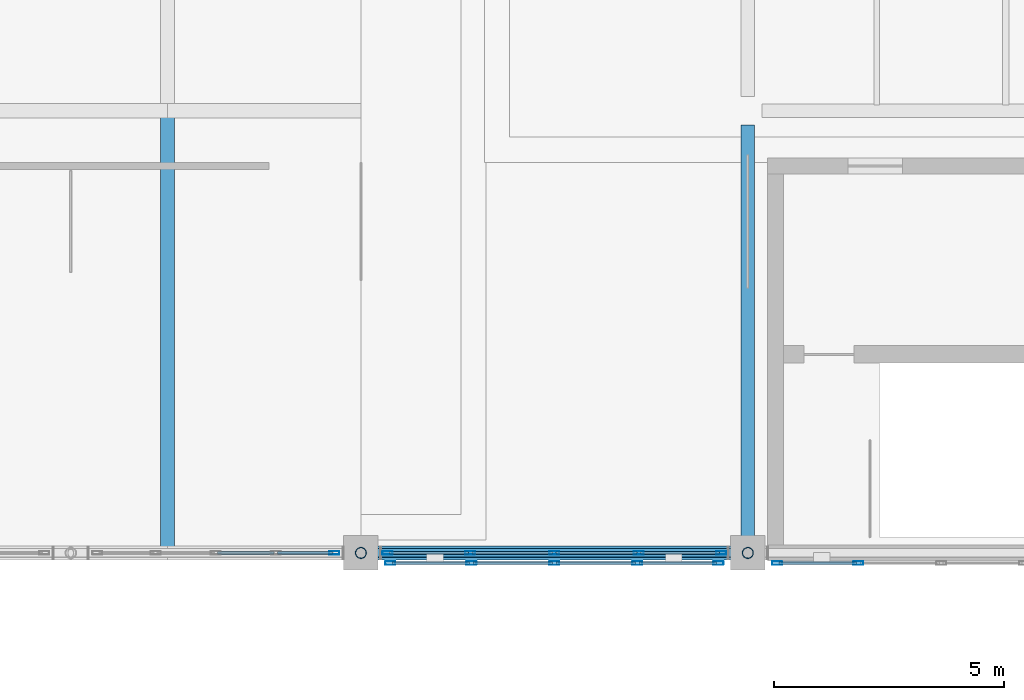
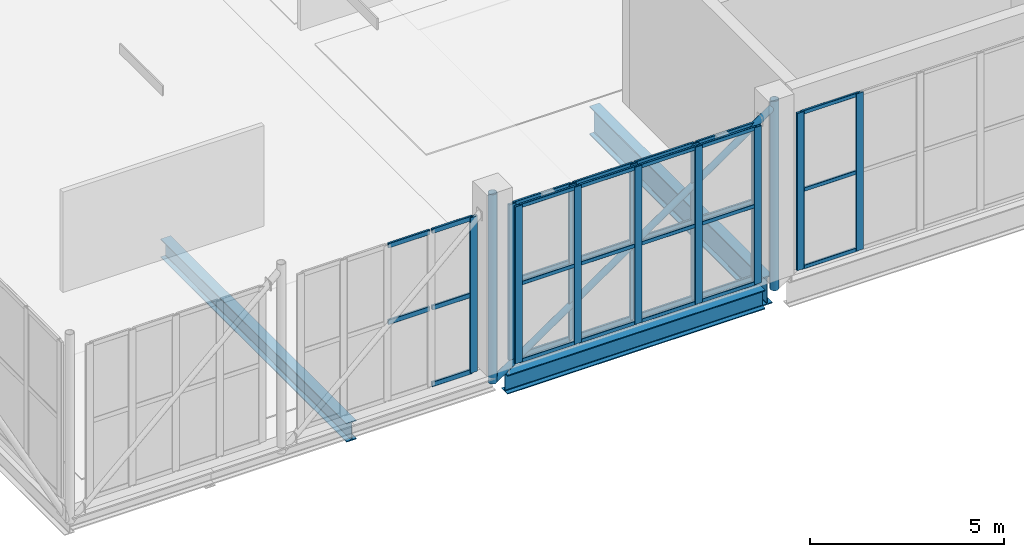
# One storey, part 3 of 49: 48 members, 3 beams, 4 elements without a shape of their own.
"""IFC4 building model written with IfcOpenShell, lengths in metres."""

import ifcopenshell
import ifcopenshell.guid

model = None  # the IFC model being written
_history = None  # IfcOwnerHistory: only IFC2X3 demands one
_inside = {}  # id of a spatial element -> (the spatial element, [elements in it])
_under = {}  # id of a project, library or spatial element -> (it, [spatial elements below it])
_declared = {}  # id of a project -> (the project, [libraries it declares])
_typed = {}  # id of a type object -> (the type object, [elements of that type])
_made_of = {}  # id of a material, layer set ... -> (it, [elements and type objects made of it])


def new_model(schema):
    """Start an empty IFC model of exactly this schema.

    Asked for "IFC4X3", IfcOpenShell would pick the latest addendum, in which some entities
    have other attributes; the version numbers below select the first issue.
    IFC2X3 requires an IfcOwnerHistory on every rooted entity: one is made here for all.
    """
    global model, _history
    if schema == "IFC4X3":
        model = ifcopenshell.file(schema_version=(4, 3, 0, 0))
    else:
        model = ifcopenshell.file(schema=schema)
    _inside.clear()
    _under.clear()
    _declared.clear()
    _typed.clear()
    _made_of.clear()
    _history = None
    if model.schema == "IFC2X3":
        org = make("IfcOrganization", Name="unknown")
        user = make(
            "IfcPersonAndOrganization",
            ThePerson=make("IfcPerson", FamilyName="unknown"),
            TheOrganization=org,
        )
        app = make(
            "IfcApplication",
            ApplicationDeveloper=org,
            Version="unknown",
            ApplicationFullName="unknown",
            ApplicationIdentifier="unknown",
        )
        _history = make(
            "IfcOwnerHistory",
            OwningUser=user,
            OwningApplication=app,
            ChangeAction="ADDED",
            CreationDate=0,
        )
    return model


def make(cls, **values):
    """One entity of the class cls with the attributes given. An attribute that is None is left unset."""
    return model.create_entity(
        cls, **{name: value for name, value in values.items() if value is not None}
    )


def rooted(cls, **values):
    """An entity with a GlobalId (a new one), such as an element, a storey or a relation."""
    return make(cls, GlobalId=ifcopenshell.guid.new(), OwnerHistory=_history, **values)


def si_unit(unit_type, name, prefix=None):
    """IfcSIUnit, for example si_unit("LENGTHUNIT", "METRE", prefix="MILLI")."""
    return make("IfcSIUnit", UnitType=unit_type, Prefix=prefix, Name=name)


def assignment(units):
    """IfcUnitAssignment: the units of a project."""
    return None if units is None else make("IfcUnitAssignment", Units=units)


def point(xyz):
    """IfcCartesianPoint."""
    return None if xyz is None else make("IfcCartesianPoint", Coordinates=xyz)


def direction(xyz):
    """IfcDirection."""
    return None if xyz is None else make("IfcDirection", DirectionRatios=xyz)


def frame(location, z_axis=None, x_axis=None):
    """IfcAxis2Placement3D, a coordinate frame: its origin and axes. An axis left out is left unset."""
    return make(
        "IfcAxis2Placement3D",
        Location=point(location),
        Axis=direction(z_axis),
        RefDirection=direction(x_axis),
    )


def frame_2d(location, x_axis=None):
    """IfcAxis2Placement2D, a coordinate frame in the plane: its origin and x axis."""
    return make(
        "IfcAxis2Placement2D", Location=point(location), RefDirection=direction(x_axis)
    )


def origin():
    """The frame at (0, 0, 0) with its axes left unset."""
    return frame((0.0, 0.0, 0.0))


def origin_2d():
    """The frame at (0, 0) in the plane with its x axis left unset."""
    return frame_2d((0.0, 0.0))


def place(relative_to, where):
    """IfcLocalPlacement: puts the frame where relative to a parent placement (None: the world)."""
    return make(
        "IfcLocalPlacement", PlacementRelTo=relative_to, RelativePlacement=where
    )


def context(
    kind, dimensions, precision=None, world=None, true_north=None, identifier=None
):
    """IfcGeometricRepresentationContext, for example the 3D "Model" context."""
    return make(
        "IfcGeometricRepresentationContext",
        ContextIdentifier=identifier,
        ContextType=kind,
        CoordinateSpaceDimension=dimensions,
        Precision=precision,
        WorldCoordinateSystem=world,
        TrueNorth=true_north,
    )


def subcontext(parent, identifier, kind, view, scale=None):
    """IfcGeometricRepresentationSubContext, for example "Body" below "Model"."""
    return make(
        "IfcGeometricRepresentationSubContext",
        ContextIdentifier=identifier,
        ContextType=kind,
        ParentContext=parent,
        TargetScale=scale,
        TargetView=view,
    )


def project(units=None, contexts=None):
    """IfcProject with its units and contexts."""
    return rooted(
        "IfcProject",
        Name="project",
        RepresentationContexts=contexts,
        UnitsInContext=assignment(units),
    )


def spatial(cls, under=None, at=None, **own):
    """A site, building, storey or space (cls), placed at a placement, below another one or the project."""
    s = rooted(cls, ObjectPlacement=at, **own)
    if under is not None:
        _under.setdefault(under.id(), (under, []))[1].append(s)
    return s


def profile(cls, at=None, kind="AREA", **sizes):
    """A parametric profile (cls). Its sizes go by their IFC names, for example OverallWidth=200.0."""
    return make(cls, ProfileType=kind, Position=at, **sizes)


def hollow_rectangle(**sizes):
    """IfcRectangleHollowProfileDef."""
    return profile("IfcRectangleHollowProfileDef", **sizes)


def hollow_circle(**sizes):
    """IfcCircleHollowProfileDef."""
    return profile("IfcCircleHollowProfileDef", **sizes)


def i_section(**sizes):
    """IfcIShapeProfileDef."""
    return profile("IfcIShapeProfileDef", **sizes)


def extrude(swept, where, along, depth):
    """IfcExtrudedAreaSolid: the profile swept, set in the frame where, extruded along a direction by depth."""
    return make(
        "IfcExtrudedAreaSolid",
        SweptArea=swept,
        Position=where,
        ExtrudedDirection=direction(along),
        Depth=depth,
    )


def shape(context_of_items, identifier, shape_type, items):
    """IfcShapeRepresentation: the items that make up one representation, for example the "Body"."""
    return make(
        "IfcShapeRepresentation",
        ContextOfItems=context_of_items,
        RepresentationIdentifier=identifier,
        RepresentationType=shape_type,
        Items=items,
    )


def material(Name=None, Category=None):
    """IfcMaterial."""
    return make("IfcMaterial", Name=Name, Category=Category)


def layer(
    of_material, thickness, ventilated=None, Name=None, Category=None, Priority=None
):
    """IfcMaterialLayer: one layer of a wall or slab, of a material (None: an air gap)."""
    return make(
        "IfcMaterialLayer",
        Material=of_material,
        LayerThickness=thickness,
        IsVentilated=ventilated,
        Name=Name,
        Category=Category,
        Priority=Priority,
    )


def layer_set(layers, Name=None):
    """IfcMaterialLayerSet."""
    return make("IfcMaterialLayerSet", MaterialLayers=layers, LayerSetName=Name)


def material_profile(
    of_material, cross_section, Name=None, Category=None, Priority=None
):
    """IfcMaterialProfile: a cross section and its material."""
    return make(
        "IfcMaterialProfile",
        Name=Name,
        Material=of_material,
        Profile=cross_section,
        Priority=Priority,
        Category=Category,
    )


def profile_set(profiles, Name=None, composite=None):
    """IfcMaterialProfileSet."""
    return make(
        "IfcMaterialProfileSet",
        Name=Name,
        MaterialProfiles=profiles,
        CompositeProfile=composite,
    )


def made_of(thing, what):
    """Note that an element or type object is made of a material, layer set ...; save() writes the relation."""
    if what is not None:
        _made_of.setdefault(what.id(), (what, []))[1].append(thing)
    return thing


def type_object(cls, material=None, **own):
    """A type object (cls), such as IfcWallType, which elements share."""
    return made_of(rooted(cls, **own), material)


def element(
    cls,
    number,
    at=None,
    inside=None,
    cuts=None,
    type_object=None,
    material=None,
    context=None,
    identifier="Body",
    shape_type=None,
    held_by="IfcProductDefinitionShape",
    body=None,
    shapes=None,
    **own,
):
    """One element of the class cls, such as IfcWall. Its Tag is "e" and its number.

    at: its placement. inside: the storey or other place that contains it. cuts: it is an
    opening in that element (IfcRelVoidsElement). A single representation is given by context,
    identifier, shape_type and body (its items); several are given by shapes. held_by: the class
    of the entity that holds the representations. save() writes the other relations.
    """
    e = rooted(cls, Tag="e%d" % number, ObjectPlacement=at, **own)
    if body is not None:
        shapes = [shape(context, identifier, shape_type, body)]
    if shapes is not None:
        e.Representation = make(held_by, Representations=shapes)
    if inside is not None:
        _inside.setdefault(inside.id(), (inside, []))[1].append(e)
    if cuts is not None:
        rooted(
            "IfcRelVoidsElement", RelatingBuildingElement=cuts, RelatedOpeningElement=e
        )
    if type_object is not None:
        _typed.setdefault(type_object.id(), (type_object, []))[1].append(e)
    return made_of(e, material)


def aggregate(whole, parts):
    """IfcRelAggregates: a whole, such as a stair, and the parts it consists of."""
    return rooted("IfcRelAggregates", RelatingObject=whole, RelatedObjects=parts)


def save(model, path):
    """Write the relations noted so far, then the file.

    IfcRelAggregates (storeys below a building ...), IfcRelContainedInSpatialStructure (elements
    in a storey), IfcRelDefinesByType, IfcRelAssociatesMaterial and IfcRelDeclares: one each for
    every whole, place, type object, material and project.
    """
    for whole, parts in _under.values():
        aggregate(whole, parts)
    for where, things in _inside.values():
        rooted(
            "IfcRelContainedInSpatialStructure",
            RelatedElements=things,
            RelatingStructure=where,
        )
    for kind, things in _typed.values():
        rooted("IfcRelDefinesByType", RelatedObjects=things, RelatingType=kind)
    for what, things in _made_of.values():
        rooted("IfcRelAssociatesMaterial", RelatedObjects=things, RelatingMaterial=what)
    for by, libraries in _declared.values():
        rooted("IfcRelDeclares", RelatingContext=by, RelatedDefinitions=libraries)
    model.write(path)


model = new_model("IFC4")

# Units and contexts
model_context = context("Model", 3, precision=1e-05, world=origin(), true_north=direction((0.0, 1.0)))
body_context = subcontext(model_context, "Body", "Model", "MODEL_VIEW")
ifc_project = project(units=[si_unit("LENGTHUNIT", "METRE"), si_unit("AREAUNIT", "SQUARE_METRE"), si_unit("VOLUMEUNIT", "CUBIC_METRE"), si_unit("PLANEANGLEUNIT", "RADIAN"), si_unit("MASSUNIT", "GRAM", prefix="KILO")], contexts=[model_context])

# Site, building, storey
site_placement = place(None, origin())
site = spatial("IfcSite", under=ifc_project, at=site_placement, CompositionType="ELEMENT")
building_placement = place(site_placement, origin())
building = spatial("IfcBuilding", under=site, at=building_placement, Name="Zulmaris Art Gallery", CompositionType="ELEMENT")
storey_placement = place(building_placement, frame((0.0, 0.0, 20.699951171875)))
storey = spatial("IfcBuildingStorey", under=building, at=storey_placement, Name="L04", CompositionType="ELEMENT", Elevation=20.699951171875)

# Beams
ifc_material_1 = material(Name="Steel S355J2", Category="steel")
ifc_material_profile_1 = material_profile(ifc_material_1, i_section(OverallWidth=0.300048828125, OverallDepth=0.590087890625, WebThickness=0.012939453125, FlangeThickness=0.02490234375, FilletRadius=0.027099609375, at=origin_2d()), Name="HEA 600")
ifc_profile_set_1 = profile_set([ifc_material_profile_1], Name="Steel S355J2")
beam_type_1 = type_object("IfcBeamType", Name="BEAM-BM12", PredefinedType="BEAM", material=ifc_profile_set_1)
beam_1_placement = place(storey_placement, frame((19.800048828125, 21.60009765625, -0.614990234375), z_axis=(0.0, 1.0, 0.0), x_axis=(-1.0, 0.0, 0.0)))
element("IfcBeam", 1, at=beam_1_placement, inside=storey, type_object=beam_type_1, Name="L04 cantilever transverse girder at x=19.8", PredefinedType="BEAM", context=body_context, shape_type="SweptSolid", body=[
    extrude(i_section(OverallWidth=0.300048828125, OverallDepth=0.590087890625, WebThickness=0.012939453125, FlangeThickness=0.02490234375, FilletRadius=0.027099609375, at=origin_2d()), origin(), (0.0, 0.0, 1.0), 9.599853515625),
])
ifc_material_profile_2 = material_profile(ifc_material_1, i_section(OverallWidth=0.300048828125, OverallDepth=0.60009765625, WebThickness=0.015380859375, FlangeThickness=0.030029296875, FilletRadius=0.027099609375, at=origin_2d()), Name="HEB 600")
ifc_profile_set_2 = profile_set([ifc_material_profile_2], Name="Steel S355J2")
beam_type_2 = type_object("IfcBeamType", Name="BEAM-BM15", PredefinedType="BEAM", material=ifc_profile_set_2)
beam_2_placement = place(storey_placement, frame((24.360107421875, 21.60009765625, -0.659912109375), z_axis=(1.0, 0.0, 0.0), x_axis=(0.0, 1.0, 0.0)))
element("IfcBeam", 2, at=beam_2_placement, inside=storey, type_object=beam_type_2, Name="L04 X-girder (24.0..32.4, y=21.6)", PredefinedType="BEAM", context=body_context, shape_type="SweptSolid", body=[
    extrude(i_section(OverallWidth=0.300048828125, OverallDepth=0.60009765625, WebThickness=0.015380859375, FlangeThickness=0.030029296875, FilletRadius=0.027099609375, at=origin_2d()), origin(), (0.0, 0.0, 1.0), 7.679931640625),
])
ifc_material_profile_3 = material_profile(ifc_material_1, i_section(OverallWidth=0.300048828125, OverallDepth=0.89990234375, WebThickness=0.0185546875, FlangeThickness=0.034912109375, FilletRadius=0.030029296875, at=origin_2d()), Name="HEB 900")
ifc_profile_set_3 = profile_set([ifc_material_profile_3], Name="Steel S355J2")
beam_type_3 = type_object("IfcBeamType", Name="BEAM-BM18", PredefinedType="BEAM", material=ifc_profile_set_3)
beam_3_placement = place(storey_placement, frame((32.39990234375, 21.9599609375, -0.81005859375), z_axis=(0.0, 1.0, 0.0), x_axis=(-1.0, 0.0, 0.0)))
element("IfcBeam", 3, at=beam_3_placement, inside=storey, type_object=beam_type_3, Name="L04 Y-girder (x=32.4, 21.6..31.2)", PredefinedType="BEAM", context=body_context, shape_type="SweptSolid", body=[
    extrude(i_section(OverallWidth=0.300048828125, OverallDepth=0.89990234375, WebThickness=0.0185546875, FlangeThickness=0.034912109375, FilletRadius=0.030029296875, at=origin_2d()), origin(), (0.0, 0.0, 1.0), 8.929931640625),
])

# Curtain wall, member
ifc_material_2 = material(Name="Unitised Low-E Gallery Curtain Wall", Category="aluminium")
ifc_layer_1 = layer(ifc_material_2, 0.179931640625)
ifc_layer_set_1 = layer_set([ifc_layer_1], Name="Unitised Low-E Gallery Curtain Wall")
curtain_wall_type_1 = type_object("IfcCurtainWallType", Name="CW-CW01", PredefinedType="NOTDEFINED", material=ifc_layer_set_1)
curtain_wall_1_placement = place(storey_placement, origin())
curtain_wall_1 = element("IfcCurtainWall", 4, at=curtain_wall_1_placement, inside=storey, type_object=curtain_wall_type_1, Name="L04 curtain wall 21", PredefinedType="NOTDEFINED")
ifc_material_3 = material(Name="Anodised Bronze Aluminium", Category="aluminium")
ifc_material_profile_4 = material_profile(ifc_material_3, hollow_rectangle(XDim=0.074951171875, YDim=0.219970703125, WallThickness=0.0048828125, InnerFilletRadius=0.007568359375, OuterFilletRadius=0.012451171875, at=origin_2d()), Name="ALU 75x220x5")
ifc_profile_set_4 = profile_set([ifc_material_profile_4], Name="Anodised Bronze Aluminium")
member_type_1 = type_object("IfcMemberType", Name="CWMUL-02", PredefinedType="MULLION", material=ifc_profile_set_4)
member_1_placement = place(storey_placement, frame((23.422607421875, 21.60009765625, 0.0), z_axis=(0.0, 0.0, 1.0), x_axis=(0.0, 1.0, 0.0)))
member_1 = element("IfcMember", 5, at=member_1_placement, type_object=member_type_1, Name="CW01 mullion 5", PredefinedType="MULLION", context=body_context, shape_type="SweptSolid", body=[
    extrude(hollow_rectangle(XDim=0.074951171875, YDim=0.219970703125, WallThickness=0.0048828125, InnerFilletRadius=0.007568359375, OuterFilletRadius=0.012451171875, at=origin_2d()), origin(), (0.0, 0.0, 1.0), 4.900146484375),
])

# Curtain wall, members
curtain_wall_2_placement = place(storey_placement, origin())
curtain_wall_2 = element("IfcCurtainWall", 6, at=curtain_wall_2_placement, inside=storey, type_object=curtain_wall_type_1, Name="L04 curtain wall 23", PredefinedType="NOTDEFINED")
member_2_placement = place(storey_placement, frame((24.577392578125, 21.60009765625, 0.0), z_axis=(0.0, 0.0, 1.0), x_axis=(0.0, 1.0, 0.0)))
member_2 = element("IfcMember", 7, at=member_2_placement, type_object=member_type_1, Name="CW01 mullion 1", PredefinedType="MULLION", context=body_context, shape_type="SweptSolid", body=[
    extrude(hollow_rectangle(XDim=0.074951171875, YDim=0.219970703125, WallThickness=0.0048828125, InnerFilletRadius=0.007568359375, OuterFilletRadius=0.012451171875, at=origin_2d()), origin(), (0.0, 0.0, 1.0), 4.900146484375),
])
member_3_placement = place(storey_placement, frame((26.3701171875, 21.60009765625, 0.0), z_axis=(0.0, 0.0, 1.0), x_axis=(0.0, 1.0, 0.0)))
member_3 = element("IfcMember", 8, at=member_3_placement, type_object=member_type_1, Name="CW01 mullion 2", PredefinedType="MULLION", context=body_context, shape_type="SweptSolid", body=[
    extrude(hollow_rectangle(XDim=0.074951171875, YDim=0.219970703125, WallThickness=0.0048828125, InnerFilletRadius=0.007568359375, OuterFilletRadius=0.012451171875, at=origin_2d()), origin(), (0.0, 0.0, 1.0), 4.900146484375),
])
member_4_placement = place(storey_placement, frame((28.199951171875, 21.60009765625, 0.0), z_axis=(0.0, 0.0, 1.0), x_axis=(0.0, 1.0, 0.0)))
member_4 = element("IfcMember", 9, at=member_4_placement, type_object=member_type_1, Name="CW01 mullion 3", PredefinedType="MULLION", context=body_context, shape_type="SweptSolid", body=[
    extrude(hollow_rectangle(XDim=0.074951171875, YDim=0.219970703125, WallThickness=0.0048828125, InnerFilletRadius=0.007568359375, OuterFilletRadius=0.012451171875, at=origin_2d()), origin(), (0.0, 0.0, 1.0), 4.900146484375),
])
member_5_placement = place(storey_placement, frame((30.030029296875, 21.60009765625, 0.0), z_axis=(0.0, 0.0, 1.0), x_axis=(0.0, 1.0, 0.0)))
member_5 = element("IfcMember", 10, at=member_5_placement, type_object=member_type_1, Name="CW01 mullion 4", PredefinedType="MULLION", context=body_context, shape_type="SweptSolid", body=[
    extrude(hollow_rectangle(XDim=0.074951171875, YDim=0.219970703125, WallThickness=0.0048828125, InnerFilletRadius=0.007568359375, OuterFilletRadius=0.012451171875, at=origin_2d()), origin(), (0.0, 0.0, 1.0), 4.900146484375),
])
member_6_placement = place(storey_placement, frame((31.822509765625, 21.60009765625, 0.0), z_axis=(0.0, 0.0, 1.0), x_axis=(0.0, 1.0, 0.0)))
member_6 = element("IfcMember", 11, at=member_6_placement, type_object=member_type_1, Name="CW01 mullion 5", PredefinedType="MULLION", context=body_context, shape_type="SweptSolid", body=[
    extrude(hollow_rectangle(XDim=0.074951171875, YDim=0.219970703125, WallThickness=0.0048828125, InnerFilletRadius=0.007568359375, OuterFilletRadius=0.012451171875, at=origin_2d()), origin(), (0.0, 0.0, 1.0), 4.900146484375),
])

ifc_material_4 = material(Name="Perforated Bronze Art Deco Mashrabiya Screen", Category="aluminium")
ifc_layer_2 = layer(ifc_material_4, 0.179931640625)
ifc_layer_set_2 = layer_set([ifc_layer_2], Name="Perforated Bronze Art Deco Mashrabiya Screen")
curtain_wall_type_2 = type_object("IfcCurtainWallType", Name="CW-CW06", PredefinedType="USERDEFINED", material=ifc_layer_set_2)
curtain_wall_3_placement = place(storey_placement, origin())
curtain_wall_3 = element("IfcCurtainWall", 12, at=curtain_wall_3_placement, inside=storey, type_object=curtain_wall_type_2, Name="L04 Mashrabiya screen 178", ObjectType="MASHRABIYA SCREEN", PredefinedType="USERDEFINED")
member_7_placement = place(storey_placement, frame((24.637451171875, 21.3798828125, 0.0), z_axis=(0.0, 0.0, 1.0), x_axis=(0.0, 1.0, 0.0)))
member_7 = element("IfcMember", 13, at=member_7_placement, type_object=member_type_1, Name="CW06 mullion 1", PredefinedType="MULLION", context=body_context, shape_type="SweptSolid", body=[
    extrude(hollow_rectangle(XDim=0.074951171875, YDim=0.219970703125, WallThickness=0.0048828125, InnerFilletRadius=0.007568359375, OuterFilletRadius=0.012451171875, at=origin_2d()), origin(), (0.0, 0.0, 1.0), 4.949951171875),
])
member_8_placement = place(storey_placement, frame((26.39990234375, 21.3798828125, 0.0), z_axis=(0.0, 0.0, 1.0), x_axis=(0.0, 1.0, 0.0)))
member_8 = element("IfcMember", 14, at=member_8_placement, type_object=member_type_1, Name="CW06 mullion 2", PredefinedType="MULLION", context=body_context, shape_type="SweptSolid", body=[
    extrude(hollow_rectangle(XDim=0.074951171875, YDim=0.219970703125, WallThickness=0.0048828125, InnerFilletRadius=0.007568359375, OuterFilletRadius=0.012451171875, at=origin_2d()), origin(), (0.0, 0.0, 1.0), 4.949951171875),
])
member_9_placement = place(storey_placement, frame((28.199951171875, 21.3798828125, 0.0), z_axis=(0.0, 0.0, 1.0), x_axis=(0.0, 1.0, 0.0)))
member_9 = element("IfcMember", 15, at=member_9_placement, type_object=member_type_1, Name="CW06 mullion 3", PredefinedType="MULLION", context=body_context, shape_type="SweptSolid", body=[
    extrude(hollow_rectangle(XDim=0.074951171875, YDim=0.219970703125, WallThickness=0.0048828125, InnerFilletRadius=0.007568359375, OuterFilletRadius=0.012451171875, at=origin_2d()), origin(), (0.0, 0.0, 1.0), 4.949951171875),
])
member_10_placement = place(storey_placement, frame((30.0, 21.3798828125, 0.0), z_axis=(0.0, 0.0, 1.0), x_axis=(0.0, 1.0, 0.0)))
member_10 = element("IfcMember", 16, at=member_10_placement, type_object=member_type_1, Name="CW06 mullion 4", PredefinedType="MULLION", context=body_context, shape_type="SweptSolid", body=[
    extrude(hollow_rectangle(XDim=0.074951171875, YDim=0.219970703125, WallThickness=0.0048828125, InnerFilletRadius=0.007568359375, OuterFilletRadius=0.012451171875, at=origin_2d()), origin(), (0.0, 0.0, 1.0), 4.949951171875),
])
member_11_placement = place(storey_placement, frame((31.762451171875, 21.3798828125, 0.0), z_axis=(0.0, 0.0, 1.0), x_axis=(0.0, 1.0, 0.0)))
member_11 = element("IfcMember", 17, at=member_11_placement, type_object=member_type_1, Name="CW06 mullion 5", PredefinedType="MULLION", context=body_context, shape_type="SweptSolid", body=[
    extrude(hollow_rectangle(XDim=0.074951171875, YDim=0.219970703125, WallThickness=0.0048828125, InnerFilletRadius=0.007568359375, OuterFilletRadius=0.012451171875, at=origin_2d()), origin(), (0.0, 0.0, 1.0), 4.949951171875),
])

curtain_wall_4_placement = place(storey_placement, origin())
curtain_wall_4 = element("IfcCurtainWall", 18, at=curtain_wall_4_placement, inside=storey, type_object=curtain_wall_type_2, Name="L04 Mashrabiya screen 179", ObjectType="MASHRABIYA SCREEN", PredefinedType="USERDEFINED")
member_12_placement = place(storey_placement, frame((33.03759765625, 21.3798828125, 0.0), z_axis=(0.0, 0.0, 1.0), x_axis=(0.0, 1.0, 0.0)))
member_12 = element("IfcMember", 19, at=member_12_placement, type_object=member_type_1, Name="CW06 mullion 1", PredefinedType="MULLION", context=body_context, shape_type="SweptSolid", body=[
    extrude(hollow_rectangle(XDim=0.074951171875, YDim=0.219970703125, WallThickness=0.0048828125, InnerFilletRadius=0.007568359375, OuterFilletRadius=0.012451171875, at=origin_2d()), origin(), (0.0, 0.0, 1.0), 4.949951171875),
])
member_13_placement = place(storey_placement, frame((34.800048828125, 21.3798828125, 0.0), z_axis=(0.0, 0.0, 1.0), x_axis=(0.0, 1.0, 0.0)))
member_13 = element("IfcMember", 20, at=member_13_placement, type_object=member_type_1, Name="CW06 mullion 2", PredefinedType="MULLION", context=body_context, shape_type="SweptSolid", body=[
    extrude(hollow_rectangle(XDim=0.074951171875, YDim=0.219970703125, WallThickness=0.0048828125, InnerFilletRadius=0.007568359375, OuterFilletRadius=0.012451171875, at=origin_2d()), origin(), (0.0, 0.0, 1.0), 4.949951171875),
])

# Member
ifc_material_profile_5 = material_profile(ifc_material_3, hollow_rectangle(XDim=0.06494140625, YDim=0.14990234375, WallThickness=0.00390625, InnerFilletRadius=0.006103515625, OuterFilletRadius=0.010009765625, at=origin_2d()), Name="ALU 65x150x4")
ifc_profile_set_5 = profile_set([ifc_material_profile_5], Name="Anodised Bronze Aluminium")
member_type_2 = type_object("IfcMemberType", Name="CWTRN-01", PredefinedType="USERDEFINED", material=ifc_profile_set_5)
member_14_placement = place(storey_placement, frame((20.887451171875, 21.60009765625, 2.449951171875), z_axis=(1.0, 0.0, 0.0), x_axis=(0.0, 1.0, 0.0)))
member_14 = element("IfcMember", 21, at=member_14_placement, type_object=member_type_2, Name="CW01 transom 3.2", ObjectType="TRANSOM", PredefinedType="USERDEFINED", context=body_context, shape_type="SweptSolid", body=[
    extrude(hollow_rectangle(XDim=0.06494140625, YDim=0.14990234375, WallThickness=0.00390625, InnerFilletRadius=0.006103515625, OuterFilletRadius=0.010009765625, at=origin_2d()), origin(), (0.0, 0.0, 1.0), 1.22998046875),
])

member_15_placement = place(storey_placement, frame((20.887451171875, 21.60009765625, 4.862548828125), z_axis=(1.0, 0.0, 0.0), x_axis=(0.0, 1.0, 0.0)))
member_15 = element("IfcMember", 22, at=member_15_placement, type_object=member_type_2, Name="CW01 transom 3.3", ObjectType="TRANSOM", PredefinedType="USERDEFINED", context=body_context, shape_type="SweptSolid", body=[
    extrude(hollow_rectangle(XDim=0.06494140625, YDim=0.14990234375, WallThickness=0.00390625, InnerFilletRadius=0.006103515625, OuterFilletRadius=0.010009765625, at=origin_2d()), origin(), (0.0, 0.0, 1.0), 1.22998046875),
])

member_16_placement = place(storey_placement, frame((22.1923828125, 21.60009765625, 0.03759765625), z_axis=(1.0, 0.0, 0.0), x_axis=(0.0, 1.0, 0.0)))
member_16 = element("IfcMember", 23, at=member_16_placement, type_object=member_type_2, Name="CW01 transom 4.1", ObjectType="TRANSOM", PredefinedType="USERDEFINED", context=body_context, shape_type="SweptSolid", body=[
    extrude(hollow_rectangle(XDim=0.06494140625, YDim=0.14990234375, WallThickness=0.00390625, InnerFilletRadius=0.006103515625, OuterFilletRadius=0.010009765625, at=origin_2d()), origin(), (0.0, 0.0, 1.0), 1.192626953125),
])

member_17_placement = place(storey_placement, frame((22.1923828125, 21.60009765625, 2.449951171875), z_axis=(1.0, 0.0, 0.0), x_axis=(0.0, 1.0, 0.0)))
member_17 = element("IfcMember", 24, at=member_17_placement, type_object=member_type_2, Name="CW01 transom 4.2", ObjectType="TRANSOM", PredefinedType="USERDEFINED", context=body_context, shape_type="SweptSolid", body=[
    extrude(hollow_rectangle(XDim=0.06494140625, YDim=0.14990234375, WallThickness=0.00390625, InnerFilletRadius=0.006103515625, OuterFilletRadius=0.010009765625, at=origin_2d()), origin(), (0.0, 0.0, 1.0), 1.192626953125),
])

member_18_placement = place(storey_placement, frame((22.1923828125, 21.60009765625, 4.862548828125), z_axis=(1.0, 0.0, 0.0), x_axis=(0.0, 1.0, 0.0)))
member_18 = element("IfcMember", 25, at=member_18_placement, type_object=member_type_2, Name="CW01 transom 4.3", ObjectType="TRANSOM", PredefinedType="USERDEFINED", context=body_context, shape_type="SweptSolid", body=[
    extrude(hollow_rectangle(XDim=0.06494140625, YDim=0.14990234375, WallThickness=0.00390625, InnerFilletRadius=0.006103515625, OuterFilletRadius=0.010009765625, at=origin_2d()), origin(), (0.0, 0.0, 1.0), 1.192626953125),
])

aggregate(curtain_wall_1, [member_1, member_14, member_15, member_16, member_17, member_18])

member_19_placement = place(storey_placement, frame((24.614990234375, 21.60009765625, 0.03759765625), z_axis=(1.0, 0.0, 0.0), x_axis=(0.0, 1.0, 0.0)))
member_19 = element("IfcMember", 26, at=member_19_placement, type_object=member_type_2, Name="CW01 transom 1.1", ObjectType="TRANSOM", PredefinedType="USERDEFINED", context=body_context, shape_type="SweptSolid", body=[
    extrude(hollow_rectangle(XDim=0.06494140625, YDim=0.14990234375, WallThickness=0.00390625, InnerFilletRadius=0.006103515625, OuterFilletRadius=0.010009765625, at=origin_2d()), origin(), (0.0, 0.0, 1.0), 1.717529296875),
])

member_20_placement = place(storey_placement, frame((24.614990234375, 21.60009765625, 2.449951171875), z_axis=(1.0, 0.0, 0.0), x_axis=(0.0, 1.0, 0.0)))
member_20 = element("IfcMember", 27, at=member_20_placement, type_object=member_type_2, Name="CW01 transom 1.2", ObjectType="TRANSOM", PredefinedType="USERDEFINED", context=body_context, shape_type="SweptSolid", body=[
    extrude(hollow_rectangle(XDim=0.06494140625, YDim=0.14990234375, WallThickness=0.00390625, InnerFilletRadius=0.006103515625, OuterFilletRadius=0.010009765625, at=origin_2d()), origin(), (0.0, 0.0, 1.0), 1.717529296875),
])

member_21_placement = place(storey_placement, frame((24.614990234375, 21.60009765625, 4.862548828125), z_axis=(1.0, 0.0, 0.0), x_axis=(0.0, 1.0, 0.0)))
member_21 = element("IfcMember", 28, at=member_21_placement, type_object=member_type_2, Name="CW01 transom 1.3", ObjectType="TRANSOM", PredefinedType="USERDEFINED", context=body_context, shape_type="SweptSolid", body=[
    extrude(hollow_rectangle(XDim=0.06494140625, YDim=0.14990234375, WallThickness=0.00390625, InnerFilletRadius=0.006103515625, OuterFilletRadius=0.010009765625, at=origin_2d()), origin(), (0.0, 0.0, 1.0), 1.717529296875),
])

member_22_placement = place(storey_placement, frame((26.407470703125, 21.60009765625, 0.03759765625), z_axis=(1.0, 0.0, 0.0), x_axis=(0.0, 1.0, 0.0)))
member_22 = element("IfcMember", 29, at=member_22_placement, type_object=member_type_2, Name="CW01 transom 2.1", ObjectType="TRANSOM", PredefinedType="USERDEFINED", context=body_context, shape_type="SweptSolid", body=[
    extrude(hollow_rectangle(XDim=0.06494140625, YDim=0.14990234375, WallThickness=0.00390625, InnerFilletRadius=0.006103515625, OuterFilletRadius=0.010009765625, at=origin_2d()), origin(), (0.0, 0.0, 1.0), 1.755126953125),
])

member_23_placement = place(storey_placement, frame((26.407470703125, 21.60009765625, 2.449951171875), z_axis=(1.0, 0.0, 0.0), x_axis=(0.0, 1.0, 0.0)))
member_23 = element("IfcMember", 30, at=member_23_placement, type_object=member_type_2, Name="CW01 transom 2.2", ObjectType="TRANSOM", PredefinedType="USERDEFINED", context=body_context, shape_type="SweptSolid", body=[
    extrude(hollow_rectangle(XDim=0.06494140625, YDim=0.14990234375, WallThickness=0.00390625, InnerFilletRadius=0.006103515625, OuterFilletRadius=0.010009765625, at=origin_2d()), origin(), (0.0, 0.0, 1.0), 1.755126953125),
])

member_24_placement = place(storey_placement, frame((26.407470703125, 21.60009765625, 4.862548828125), z_axis=(1.0, 0.0, 0.0), x_axis=(0.0, 1.0, 0.0)))
member_24 = element("IfcMember", 31, at=member_24_placement, type_object=member_type_2, Name="CW01 transom 2.3", ObjectType="TRANSOM", PredefinedType="USERDEFINED", context=body_context, shape_type="SweptSolid", body=[
    extrude(hollow_rectangle(XDim=0.06494140625, YDim=0.14990234375, WallThickness=0.00390625, InnerFilletRadius=0.006103515625, OuterFilletRadius=0.010009765625, at=origin_2d()), origin(), (0.0, 0.0, 1.0), 1.755126953125),
])

member_25_placement = place(storey_placement, frame((28.237548828125, 21.60009765625, 0.03759765625), z_axis=(1.0, 0.0, 0.0), x_axis=(0.0, 1.0, 0.0)))
member_25 = element("IfcMember", 32, at=member_25_placement, type_object=member_type_2, Name="CW01 transom 3.1", ObjectType="TRANSOM", PredefinedType="USERDEFINED", context=body_context, shape_type="SweptSolid", body=[
    extrude(hollow_rectangle(XDim=0.06494140625, YDim=0.14990234375, WallThickness=0.00390625, InnerFilletRadius=0.006103515625, OuterFilletRadius=0.010009765625, at=origin_2d()), origin(), (0.0, 0.0, 1.0), 1.7548828125),
])

member_26_placement = place(storey_placement, frame((28.237548828125, 21.60009765625, 2.449951171875), z_axis=(1.0, 0.0, 0.0), x_axis=(0.0, 1.0, 0.0)))
member_26 = element("IfcMember", 33, at=member_26_placement, type_object=member_type_2, Name="CW01 transom 3.2", ObjectType="TRANSOM", PredefinedType="USERDEFINED", context=body_context, shape_type="SweptSolid", body=[
    extrude(hollow_rectangle(XDim=0.06494140625, YDim=0.14990234375, WallThickness=0.00390625, InnerFilletRadius=0.006103515625, OuterFilletRadius=0.010009765625, at=origin_2d()), origin(), (0.0, 0.0, 1.0), 1.7548828125),
])

member_27_placement = place(storey_placement, frame((28.237548828125, 21.60009765625, 4.862548828125), z_axis=(1.0, 0.0, 0.0), x_axis=(0.0, 1.0, 0.0)))
member_27 = element("IfcMember", 34, at=member_27_placement, type_object=member_type_2, Name="CW01 transom 3.3", ObjectType="TRANSOM", PredefinedType="USERDEFINED", context=body_context, shape_type="SweptSolid", body=[
    extrude(hollow_rectangle(XDim=0.06494140625, YDim=0.14990234375, WallThickness=0.00390625, InnerFilletRadius=0.006103515625, OuterFilletRadius=0.010009765625, at=origin_2d()), origin(), (0.0, 0.0, 1.0), 1.7548828125),
])

member_28_placement = place(storey_placement, frame((30.0673828125, 21.60009765625, 0.03759765625), z_axis=(1.0, 0.0, 0.0), x_axis=(0.0, 1.0, 0.0)))
member_28 = element("IfcMember", 35, at=member_28_placement, type_object=member_type_2, Name="CW01 transom 4.1", ObjectType="TRANSOM", PredefinedType="USERDEFINED", context=body_context, shape_type="SweptSolid", body=[
    extrude(hollow_rectangle(XDim=0.06494140625, YDim=0.14990234375, WallThickness=0.00390625, InnerFilletRadius=0.006103515625, OuterFilletRadius=0.010009765625, at=origin_2d()), origin(), (0.0, 0.0, 1.0), 1.717529296875),
])

member_29_placement = place(storey_placement, frame((30.0673828125, 21.60009765625, 2.449951171875), z_axis=(1.0, 0.0, 0.0), x_axis=(0.0, 1.0, 0.0)))
member_29 = element("IfcMember", 36, at=member_29_placement, type_object=member_type_2, Name="CW01 transom 4.2", ObjectType="TRANSOM", PredefinedType="USERDEFINED", context=body_context, shape_type="SweptSolid", body=[
    extrude(hollow_rectangle(XDim=0.06494140625, YDim=0.14990234375, WallThickness=0.00390625, InnerFilletRadius=0.006103515625, OuterFilletRadius=0.010009765625, at=origin_2d()), origin(), (0.0, 0.0, 1.0), 1.717529296875),
])

member_30_placement = place(storey_placement, frame((30.0673828125, 21.60009765625, 4.862548828125), z_axis=(1.0, 0.0, 0.0), x_axis=(0.0, 1.0, 0.0)))
member_30 = element("IfcMember", 37, at=member_30_placement, type_object=member_type_2, Name="CW01 transom 4.3", ObjectType="TRANSOM", PredefinedType="USERDEFINED", context=body_context, shape_type="SweptSolid", body=[
    extrude(hollow_rectangle(XDim=0.06494140625, YDim=0.14990234375, WallThickness=0.00390625, InnerFilletRadius=0.006103515625, OuterFilletRadius=0.010009765625, at=origin_2d()), origin(), (0.0, 0.0, 1.0), 1.717529296875),
])

aggregate(curtain_wall_2, [member_2, member_3, member_4, member_5, member_6, member_19, member_20, member_21, member_22, member_23, member_24, member_25, member_26, member_27, member_28, member_29, member_30])

ifc_material_profile_6 = material_profile(ifc_material_3, hollow_rectangle(XDim=0.06494140625, YDim=0.1201171875, WallThickness=0.00390625, InnerFilletRadius=0.006103515625, OuterFilletRadius=0.010009765625, at=origin_2d()), Name="ALU 65x120x4")
ifc_profile_set_6 = profile_set([ifc_material_profile_6], Name="Anodised Bronze Aluminium")
member_type_3 = type_object("IfcMemberType", Name="CWTRN-03", PredefinedType="USERDEFINED", material=ifc_profile_set_6)
member_31_placement = place(storey_placement, frame((24.675048828125, 21.3798828125, 0.03759765625), z_axis=(1.0, 0.0, 0.0), x_axis=(0.0, 1.0, 0.0)))
member_31 = element("IfcMember", 38, at=member_31_placement, type_object=member_type_3, Name="CW06 transom 1.1", ObjectType="TRANSOM", PredefinedType="USERDEFINED", context=body_context, shape_type="SweptSolid", body=[
    extrude(hollow_rectangle(XDim=0.06494140625, YDim=0.1201171875, WallThickness=0.00390625, InnerFilletRadius=0.006103515625, OuterFilletRadius=0.010009765625, at=origin_2d()), origin(), (0.0, 0.0, 1.0), 1.6875),
])

member_32_placement = place(storey_placement, frame((24.675048828125, 21.3798828125, 2.47509765625), z_axis=(1.0, 0.0, 0.0), x_axis=(0.0, 1.0, 0.0)))
member_32 = element("IfcMember", 39, at=member_32_placement, type_object=member_type_3, Name="CW06 transom 1.2", ObjectType="TRANSOM", PredefinedType="USERDEFINED", context=body_context, shape_type="SweptSolid", body=[
    extrude(hollow_rectangle(XDim=0.06494140625, YDim=0.1201171875, WallThickness=0.00390625, InnerFilletRadius=0.006103515625, OuterFilletRadius=0.010009765625, at=origin_2d()), origin(), (0.0, 0.0, 1.0), 1.6875),
])

member_33_placement = place(storey_placement, frame((24.675048828125, 21.3798828125, 4.91259765625), z_axis=(1.0, 0.0, 0.0), x_axis=(0.0, 1.0, 0.0)))
member_33 = element("IfcMember", 40, at=member_33_placement, type_object=member_type_3, Name="CW06 transom 1.3", ObjectType="TRANSOM", PredefinedType="USERDEFINED", context=body_context, shape_type="SweptSolid", body=[
    extrude(hollow_rectangle(XDim=0.06494140625, YDim=0.1201171875, WallThickness=0.00390625, InnerFilletRadius=0.006103515625, OuterFilletRadius=0.010009765625, at=origin_2d()), origin(), (0.0, 0.0, 1.0), 1.6875),
])

member_34_placement = place(storey_placement, frame((26.4375, 21.3798828125, 0.03759765625), z_axis=(1.0, 0.0, 0.0), x_axis=(0.0, 1.0, 0.0)))
member_34 = element("IfcMember", 41, at=member_34_placement, type_object=member_type_3, Name="CW06 transom 2.1", ObjectType="TRANSOM", PredefinedType="USERDEFINED", context=body_context, shape_type="SweptSolid", body=[
    extrude(hollow_rectangle(XDim=0.06494140625, YDim=0.1201171875, WallThickness=0.00390625, InnerFilletRadius=0.006103515625, OuterFilletRadius=0.010009765625, at=origin_2d()), origin(), (0.0, 0.0, 1.0), 1.72509765625),
])

member_35_placement = place(storey_placement, frame((26.4375, 21.3798828125, 2.47509765625), z_axis=(1.0, 0.0, 0.0), x_axis=(0.0, 1.0, 0.0)))
member_35 = element("IfcMember", 42, at=member_35_placement, type_object=member_type_3, Name="CW06 transom 2.2", ObjectType="TRANSOM", PredefinedType="USERDEFINED", context=body_context, shape_type="SweptSolid", body=[
    extrude(hollow_rectangle(XDim=0.06494140625, YDim=0.1201171875, WallThickness=0.00390625, InnerFilletRadius=0.006103515625, OuterFilletRadius=0.010009765625, at=origin_2d()), origin(), (0.0, 0.0, 1.0), 1.72509765625),
])

member_36_placement = place(storey_placement, frame((26.4375, 21.3798828125, 4.91259765625), z_axis=(1.0, 0.0, 0.0), x_axis=(0.0, 1.0, 0.0)))
member_36 = element("IfcMember", 43, at=member_36_placement, type_object=member_type_3, Name="CW06 transom 2.3", ObjectType="TRANSOM", PredefinedType="USERDEFINED", context=body_context, shape_type="SweptSolid", body=[
    extrude(hollow_rectangle(XDim=0.06494140625, YDim=0.1201171875, WallThickness=0.00390625, InnerFilletRadius=0.006103515625, OuterFilletRadius=0.010009765625, at=origin_2d()), origin(), (0.0, 0.0, 1.0), 1.72509765625),
])

member_37_placement = place(storey_placement, frame((28.237548828125, 21.3798828125, 0.03759765625), z_axis=(1.0, 0.0, 0.0), x_axis=(0.0, 1.0, 0.0)))
member_37 = element("IfcMember", 44, at=member_37_placement, type_object=member_type_3, Name="CW06 transom 3.1", ObjectType="TRANSOM", PredefinedType="USERDEFINED", context=body_context, shape_type="SweptSolid", body=[
    extrude(hollow_rectangle(XDim=0.06494140625, YDim=0.1201171875, WallThickness=0.00390625, InnerFilletRadius=0.006103515625, OuterFilletRadius=0.010009765625, at=origin_2d()), origin(), (0.0, 0.0, 1.0), 1.724853515625),
])

member_38_placement = place(storey_placement, frame((28.237548828125, 21.3798828125, 2.47509765625), z_axis=(1.0, 0.0, 0.0), x_axis=(0.0, 1.0, 0.0)))
member_38 = element("IfcMember", 45, at=member_38_placement, type_object=member_type_3, Name="CW06 transom 3.2", ObjectType="TRANSOM", PredefinedType="USERDEFINED", context=body_context, shape_type="SweptSolid", body=[
    extrude(hollow_rectangle(XDim=0.06494140625, YDim=0.1201171875, WallThickness=0.00390625, InnerFilletRadius=0.006103515625, OuterFilletRadius=0.010009765625, at=origin_2d()), origin(), (0.0, 0.0, 1.0), 1.724853515625),
])

member_39_placement = place(storey_placement, frame((28.237548828125, 21.3798828125, 4.91259765625), z_axis=(1.0, 0.0, 0.0), x_axis=(0.0, 1.0, 0.0)))
member_39 = element("IfcMember", 46, at=member_39_placement, type_object=member_type_3, Name="CW06 transom 3.3", ObjectType="TRANSOM", PredefinedType="USERDEFINED", context=body_context, shape_type="SweptSolid", body=[
    extrude(hollow_rectangle(XDim=0.06494140625, YDim=0.1201171875, WallThickness=0.00390625, InnerFilletRadius=0.006103515625, OuterFilletRadius=0.010009765625, at=origin_2d()), origin(), (0.0, 0.0, 1.0), 1.724853515625),
])

member_40_placement = place(storey_placement, frame((30.03759765625, 21.3798828125, 0.03759765625), z_axis=(1.0, 0.0, 0.0), x_axis=(0.0, 1.0, 0.0)))
member_40 = element("IfcMember", 47, at=member_40_placement, type_object=member_type_3, Name="CW06 transom 4.1", ObjectType="TRANSOM", PredefinedType="USERDEFINED", context=body_context, shape_type="SweptSolid", body=[
    extrude(hollow_rectangle(XDim=0.06494140625, YDim=0.1201171875, WallThickness=0.00390625, InnerFilletRadius=0.006103515625, OuterFilletRadius=0.010009765625, at=origin_2d()), origin(), (0.0, 0.0, 1.0), 1.6875),
])

member_41_placement = place(storey_placement, frame((30.03759765625, 21.3798828125, 2.47509765625), z_axis=(1.0, 0.0, 0.0), x_axis=(0.0, 1.0, 0.0)))
member_41 = element("IfcMember", 48, at=member_41_placement, type_object=member_type_3, Name="CW06 transom 4.2", ObjectType="TRANSOM", PredefinedType="USERDEFINED", context=body_context, shape_type="SweptSolid", body=[
    extrude(hollow_rectangle(XDim=0.06494140625, YDim=0.1201171875, WallThickness=0.00390625, InnerFilletRadius=0.006103515625, OuterFilletRadius=0.010009765625, at=origin_2d()), origin(), (0.0, 0.0, 1.0), 1.6875),
])

member_42_placement = place(storey_placement, frame((30.03759765625, 21.3798828125, 4.91259765625), z_axis=(1.0, 0.0, 0.0), x_axis=(0.0, 1.0, 0.0)))
member_42 = element("IfcMember", 49, at=member_42_placement, type_object=member_type_3, Name="CW06 transom 4.3", ObjectType="TRANSOM", PredefinedType="USERDEFINED", context=body_context, shape_type="SweptSolid", body=[
    extrude(hollow_rectangle(XDim=0.06494140625, YDim=0.1201171875, WallThickness=0.00390625, InnerFilletRadius=0.006103515625, OuterFilletRadius=0.010009765625, at=origin_2d()), origin(), (0.0, 0.0, 1.0), 1.6875),
])

aggregate(curtain_wall_3, [member_7, member_8, member_9, member_10, member_11, member_31, member_32, member_33, member_34, member_35, member_36, member_37, member_38, member_39, member_40, member_41, member_42])

member_43_placement = place(storey_placement, frame((33.074951171875, 21.3798828125, 0.03759765625), z_axis=(1.0, 0.0, 0.0), x_axis=(0.0, 1.0, 0.0)))
member_43 = element("IfcMember", 50, at=member_43_placement, type_object=member_type_3, Name="CW06 transom 1.1", ObjectType="TRANSOM", PredefinedType="USERDEFINED", context=body_context, shape_type="SweptSolid", body=[
    extrude(hollow_rectangle(XDim=0.06494140625, YDim=0.1201171875, WallThickness=0.00390625, InnerFilletRadius=0.006103515625, OuterFilletRadius=0.010009765625, at=origin_2d()), origin(), (0.0, 0.0, 1.0), 1.6875),
])

member_44_placement = place(storey_placement, frame((33.074951171875, 21.3798828125, 2.47509765625), z_axis=(1.0, 0.0, 0.0), x_axis=(0.0, 1.0, 0.0)))
member_44 = element("IfcMember", 51, at=member_44_placement, type_object=member_type_3, Name="CW06 transom 1.2", ObjectType="TRANSOM", PredefinedType="USERDEFINED", context=body_context, shape_type="SweptSolid", body=[
    extrude(hollow_rectangle(XDim=0.06494140625, YDim=0.1201171875, WallThickness=0.00390625, InnerFilletRadius=0.006103515625, OuterFilletRadius=0.010009765625, at=origin_2d()), origin(), (0.0, 0.0, 1.0), 1.6875),
])

member_45_placement = place(storey_placement, frame((33.074951171875, 21.3798828125, 4.91259765625), z_axis=(1.0, 0.0, 0.0), x_axis=(0.0, 1.0, 0.0)))
member_45 = element("IfcMember", 52, at=member_45_placement, type_object=member_type_3, Name="CW06 transom 1.3", ObjectType="TRANSOM", PredefinedType="USERDEFINED", context=body_context, shape_type="SweptSolid", body=[
    extrude(hollow_rectangle(XDim=0.06494140625, YDim=0.1201171875, WallThickness=0.00390625, InnerFilletRadius=0.006103515625, OuterFilletRadius=0.010009765625, at=origin_2d()), origin(), (0.0, 0.0, 1.0), 1.6875),
])

aggregate(curtain_wall_4, [member_12, member_13, member_43, member_44, member_45])

# Members
ifc_material_5 = material(Name="Steel S355J2H", Category="steel")
ifc_material_profile_7 = material_profile(ifc_material_5, hollow_circle(Radius=0.096923828125, WallThickness=0.010009765625, at=origin_2d()), Name="CHS 193.7x10")
ifc_profile_set_7 = profile_set([ifc_material_profile_7], Name="Steel S355J2H")
member_type_4 = type_object("IfcMemberType", Name="MEM-TB02", PredefinedType="BRACE", material=ifc_profile_set_7)
member_46_placement = place(storey_placement, frame((24.0, 21.60009765625, -0.517333984375), z_axis=(0.824389928829, 0.0, 0.566022301015), x_axis=(0.0, 1.0, 0.0)))
element("IfcMember", 53, at=member_46_placement, inside=storey, type_object=member_type_4, Name="Eaves cantilever raker 1-4", PredefinedType="BRACE", context=body_context, shape_type="SweptSolid", body=[
    extrude(hollow_circle(Radius=0.096923828125, WallThickness=0.010009765625, at=origin_2d()), origin(), (0.0, 0.0, 1.0), 10.189208984375),
])
ifc_material_profile_8 = material_profile(ifc_material_5, hollow_circle(Radius=0.122314453125, WallThickness=0.012451171875, at=origin_2d()), Name="CHS 244.5x12.5")
ifc_profile_set_8 = profile_set([ifc_material_profile_8], Name="Steel S355J2H")
member_type_5 = type_object("IfcMemberType", Name="MEM-TP02", PredefinedType="POST", material=ifc_profile_set_8)
for number, where, z_axis, x_axis, name in (
    (54, (24.0, 21.60009765625, -0.517333984375), (0.0, 0.0, 1.0), (1.0, 0.0, 0.0), "Eaves cantilever post 1-4"),
    (55, (32.39990234375, 21.60009765625, -0.517333984375), (0.0, 0.0, 1.0), (1.0, 0.0, 0.0), "Eaves cantilever post 1-5"),
):
    element("IfcMember", number, at=place(storey_placement, frame(where, z_axis=z_axis, x_axis=x_axis)), inside=storey, type_object=member_type_5, Name=name, PredefinedType="POST", context=body_context, shape_type="SweptSolid", body=[
        extrude(hollow_circle(Radius=0.122314453125, WallThickness=0.012451171875, at=origin_2d()), origin(), (0.0, 0.0, 1.0), 5.96728515625),
    ])

save(model, "model.ifc")
